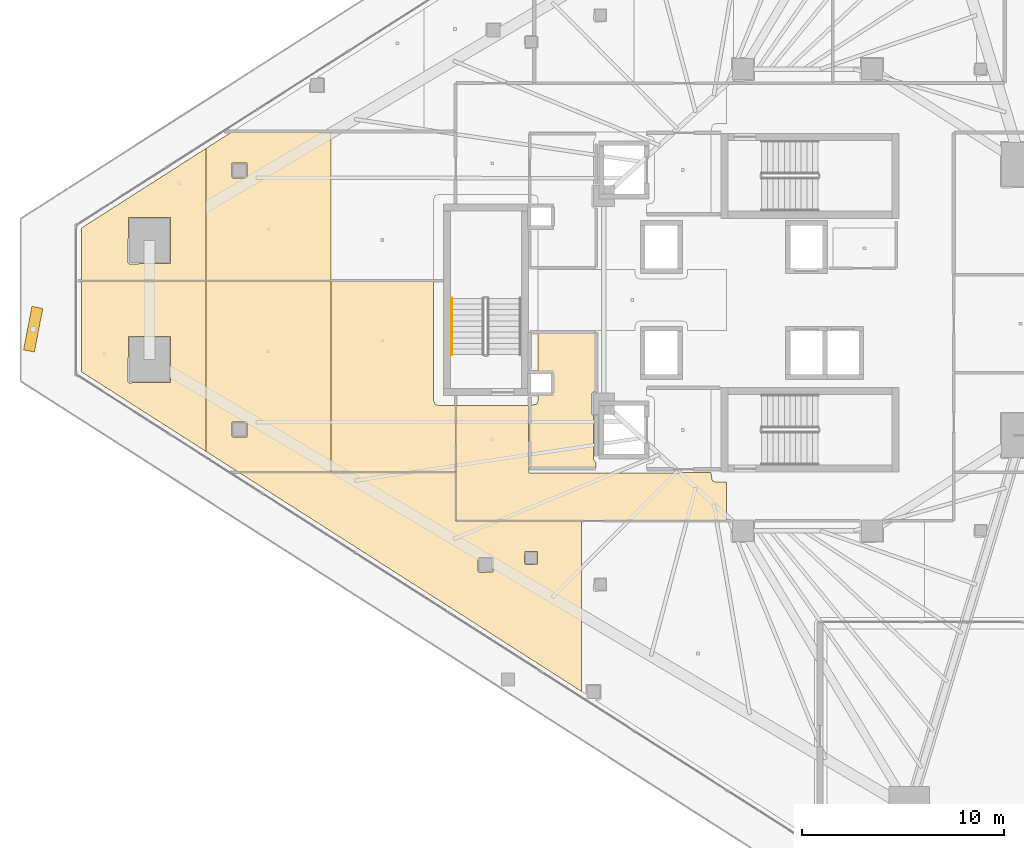
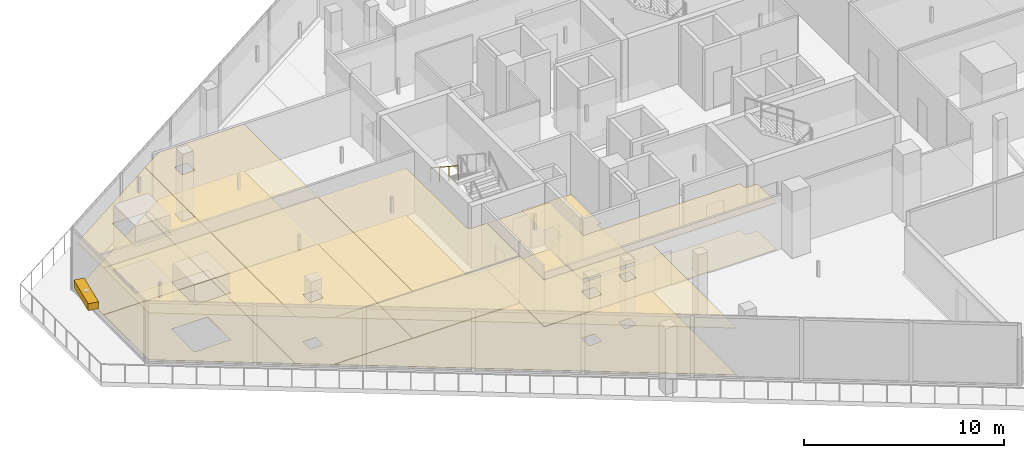
# One storey, part 32 of 39: 15 coverings, 1 railing, 1 shading device.
"""IFC4 building model written with IfcOpenShell, lengths in metres."""

from ifc_helpers import new_model, si_unit, direction, frame, origin, origin_2d, place, context, subcontext, project, spatial, polyline, rectangle, circle, outline, extrude, material, layer, layer_set, type_object, element, save


model = new_model("IFC4")

# Units and contexts
model_context = context("Model", 3, precision=1e-05, world=origin(), true_north=direction((0.0, 1.0)))
body_context = subcontext(model_context, "Body", "Model", "MODEL_VIEW")
ifc_project = project(units=[si_unit("LENGTHUNIT", "METRE"), si_unit("AREAUNIT", "SQUARE_METRE"), si_unit("VOLUMEUNIT", "CUBIC_METRE"), si_unit("PLANEANGLEUNIT", "RADIAN"), si_unit("MASSUNIT", "GRAM", prefix="KILO")], contexts=[model_context])

# Site, building, storey
site_placement = place(None, origin())
site = spatial("IfcSite", under=ifc_project, at=site_placement, CompositionType="ELEMENT")
building_placement = place(site_placement, origin())
building = spatial("IfcBuilding", under=site, at=building_placement, Name="Qorvath Tower", CompositionType="ELEMENT")
storey_placement = place(building_placement, frame((0.0, 0.0, 154.35009765625)))
storey = spatial("IfcBuildingStorey", under=building, at=storey_placement, Name="L35", CompositionType="ELEMENT", Elevation=154.35009765625)

# Coverings
ifc_material_1 = material(Name="Acoustic mineral fibre ceiling tile", Category="gypsum")
ifc_layer_1 = layer(ifc_material_1, 0.030029296875)
ifc_layer_set_1 = layer_set([ifc_layer_1], Name="COV-CEIL")
covering_type_1 = type_object("IfcCoveringType", Name="COV-CEIL", PredefinedType="CEILING", material=ifc_layer_set_1)
covering_1_placement = place(storey_placement, frame((0.0, 0.0, 2.849853515625)))
element("IfcCovering", 1, at=covering_1_placement, inside=storey, type_object=covering_type_1, Name="L35 Suspended Acoustic Ceiling 006", PredefinedType="CEILING", context=body_context, shape_type="SweptSolid", body=[
    extrude(outline(polyline([(-34.22509765625, -8.580078125), (-34.251220703125, -5.239990234375), (-37.844970703125, -5.239990234375), (-37.844970703125, -10.945068359375), (-24.421142578125, -10.945068359375), (-24.421142578125, -9.0400390625), (-24.93994140625, -9.0400390625), (-25.11669921875, -8.966796875), (-25.18994140625, -8.57421875), (-34.22509765625, -8.580078125)])), origin(), (0.0, 0.0, 1.0), 0.030029296875),
])
covering_2_placement = place(storey_placement, frame((0.0, 0.0, 2.849853515625)))
element("IfcCovering", 2, at=covering_2_placement, inside=storey, type_object=covering_type_1, Name="L35 Suspended Acoustic Ceiling 017", PredefinedType="CEILING", context=body_context, shape_type="SweptSolid", body=[
    extrude(outline(polyline([(-31.611328125, -19.425048828125), (-31.611328125, -10.962890625), (-37.85791015625, -10.962890625), (-37.863037109375, -8.554931640625), (-48.619140625, -8.554931640625), (-31.611328125, -19.425048828125)]), holes=[polyline([(-34.439208984375, -13.0673828125), (-34.421630859375, -12.47509765625), (-33.786865234375, -12.47509765625), (-33.786865234375, -13.10986328125), (-34.379150390625, -13.12744140625), (-34.439208984375, -13.0673828125)]), polyline([(-36.749755859375, -13.46044921875), (-36.732177734375, -12.76806640625), (-35.997314453125, -12.76806640625), (-35.997314453125, -13.5029296875), (-36.689697265625, -13.5205078125), (-36.749755859375, -13.46044921875)])]), origin(), (0.0, 0.0, 1.0), 0.030029296875),
])
covering_3_placement = place(storey_placement, frame((0.0, 0.0, 2.849853515625)))
element("IfcCovering", 3, at=covering_3_placement, inside=storey, type_object=covering_type_1, Name="L35 Suspended Acoustic Ceiling 027", PredefinedType="CEILING", context=body_context, shape_type="SweptSolid", body=[
    extrude(outline(polyline([(-50.240234375, -7.518798828125), (-50.240234375, 0.9482421875), (-56.4287109375, 0.9482421875), (-56.4287109375, -3.5634765625), (-50.240234375, -7.518798828125)]), holes=[polyline([(-54.109375, -4.05078125), (-54.091796875, -1.808349609375), (-52.007080078125, -1.808349609375), (-52.007080078125, -4.09326171875), (-54.04931640625, -4.11083984375), (-54.109375, -4.05078125)])]), origin(), (0.0, 0.0, 1.0), 0.030029296875),
])
covering_4_placement = place(storey_placement, frame((0.0, 0.0, 2.849853515625)))
element("IfcCovering", 4, at=covering_4_placement, inside=storey, type_object=covering_type_1, Name="L35 Suspended Acoustic Ceiling 028", PredefinedType="CEILING", context=body_context, shape_type="SweptSolid", body=[
    extrude(outline(polyline([(-44.051513671875, -8.537109375), (-44.051513671875, 0.9482421875), (-50.240234375, 0.9482421875), (-50.240234375, -7.518798828125), (-48.647216796875, -8.537109375), (-44.051513671875, -8.537109375)]), holes=[polyline([(-48.96337890625, -6.74951171875), (-48.94580078125, -6.05712890625), (-48.2109375, -6.05712890625), (-48.2109375, -6.7919921875), (-48.9033203125, -6.8095703125), (-48.96337890625, -6.74951171875)])]), origin(), (0.0, 0.0, 1.0), 0.030029296875),
])
covering_5_placement = place(storey_placement, frame((0.0, 0.0, 2.849853515625)))
element("IfcCovering", 5, at=covering_5_placement, inside=storey, type_object=covering_type_1, Name="L35 Suspended Acoustic Ceiling 029", PredefinedType="CEILING", context=body_context, shape_type="SweptSolid", body=[
    extrude(outline(polyline([(-38.949951171875, 0.9482421875), (-44.051513671875, 0.9482421875), (-44.051513671875, -8.537109375), (-37.863037109375, -8.537109375), (-37.863037109375, -5.239990234375), (-38.699951171875, -5.239990234375), (-38.876708984375, -5.166748046875), (-38.949951171875, -4.989990234375), (-38.949951171875, 0.9482421875)])), origin(), (0.0, 0.0, 1.0), 0.030029296875),
])
covering_6_placement = place(storey_placement, frame((0.0, 0.0, 2.849853515625)))
element("IfcCovering", 6, at=covering_6_placement, inside=storey, type_object=covering_type_1, Name="L35 Suspended Acoustic Ceiling 030", PredefinedType="CEILING", context=body_context, shape_type="SweptSolid", body=[
    extrude(outline(polyline([(-50.240234375, 0.96630859375), (-50.240234375, 7.518798828125), (-56.4287109375, 3.5634765625), (-56.4287109375, 0.96630859375), (-50.240234375, 0.96630859375)]), holes=[polyline([(-54.109375, 1.850830078125), (-54.091796875, 4.09326171875), (-52.007080078125, 4.09326171875), (-52.007080078125, 1.808349609375), (-54.04931640625, 1.790771484375), (-54.109375, 1.850830078125)])]), origin(), (0.0, 0.0, 1.0), 0.030029296875),
])
covering_7_placement = place(storey_placement, frame((0.0, 0.0, 2.849853515625)))
element("IfcCovering", 7, at=covering_7_placement, inside=storey, type_object=covering_type_1, Name="L35 Suspended Acoustic Ceiling 031", PredefinedType="CEILING", context=body_context, shape_type="SweptSolid", body=[
    extrude(outline(polyline([(-44.051513671875, 0.96630859375), (-44.051513671875, 8.3369140625), (-48.960205078125, 8.3369140625), (-50.240234375, 7.518798828125), (-50.240234375, 0.96630859375), (-44.051513671875, 0.96630859375)]), holes=[polyline([(-48.96337890625, 6.099609375), (-48.94580078125, 6.7919921875), (-48.2109375, 6.7919921875), (-48.2109375, 6.05712890625), (-48.9033203125, 6.03955078125), (-48.96337890625, 6.099609375)])]), origin(), (0.0, 0.0, 1.0), 0.030029296875),
])
ifc_material_2 = material(Name="Low-VOC modular carpet tile", Category="textile")
ifc_layer_2 = layer(ifc_material_2, 0.014892578125)
ifc_layer_set_2 = layer_set([ifc_layer_2], Name="COV-FLOOR-CPT")
covering_type_2 = type_object("IfcCoveringType", Name="COV-FLOOR-CPT", PredefinedType="FLOORING", material=ifc_layer_set_2)
covering_8_placement = place(storey_placement, origin())
element("IfcCovering", 8, at=covering_8_placement, inside=storey, type_object=covering_type_2, Name="L35 Floor Finish 005", PredefinedType="FLOORING", context=body_context, shape_type="SweptSolid", body=[
    extrude(outline(polyline([(-30.885009765625, -1.60498046875), (-33.760009765625, -1.60498046875), (-33.760009765625, -3.636962890625), (-33.08837890625, -3.638427734375), (-33.0869140625, -4.6279296875), (-33.760009765625, -4.633056640625), (-33.760009765625, -4.989990234375), (-33.833251953125, -5.166748046875), (-34.175048828125, -5.239990234375), (-34.175048828125, -8.344970703125), (-30.885009765625, -8.344970703125), (-30.885009765625, -8.108154296875), (-31.010009765625, -7.909912109375), (-31.010009765625, -5.735107421875), (-31.0849609375, -5.675048828125), (-31.0849609375, -4.625), (-31.02490234375, -4.56494140625), (-30.885009765625, -4.56494140625), (-30.885009765625, -1.60498046875)])), origin(), (0.0, 0.0, 1.0), 0.014892578125),
])
covering_9_placement = place(storey_placement, origin())
element("IfcCovering", 9, at=covering_9_placement, inside=storey, type_object=covering_type_2, Name="L35 Floor Finish 017", PredefinedType="FLOORING", context=body_context, shape_type="SweptSolid", body=[
    extrude(outline(polyline([(-31.611328125, -19.425048828125), (-31.611328125, -10.962890625), (-37.85791015625, -10.962890625), (-37.863037109375, -8.554931640625), (-48.619140625, -8.554931640625), (-31.611328125, -19.425048828125)]), holes=[polyline([(-34.439208984375, -13.0673828125), (-34.421630859375, -12.47509765625), (-33.786865234375, -12.47509765625), (-33.786865234375, -13.10986328125), (-34.379150390625, -13.12744140625), (-34.439208984375, -13.0673828125)]), polyline([(-36.749755859375, -13.46044921875), (-36.732177734375, -12.76806640625), (-35.997314453125, -12.76806640625), (-35.997314453125, -13.5029296875), (-36.689697265625, -13.5205078125), (-36.749755859375, -13.46044921875)])]), origin(), (0.0, 0.0, 1.0), 0.014892578125),
])
covering_10_placement = place(storey_placement, origin())
element("IfcCovering", 10, at=covering_10_placement, inside=storey, type_object=covering_type_2, Name="L35 Floor Finish 027", PredefinedType="FLOORING", context=body_context, shape_type="SweptSolid", body=[
    extrude(outline(polyline([(-50.240234375, -7.518798828125), (-50.240234375, 0.9482421875), (-56.4287109375, 0.9482421875), (-56.4287109375, -3.5634765625), (-50.240234375, -7.518798828125)]), holes=[polyline([(-54.109375, -4.05078125), (-54.091796875, -1.808349609375), (-52.007080078125, -1.808349609375), (-52.007080078125, -4.09326171875), (-54.04931640625, -4.11083984375), (-54.109375, -4.05078125)])]), origin(), (0.0, 0.0, 1.0), 0.014892578125),
])
covering_11_placement = place(storey_placement, origin())
element("IfcCovering", 11, at=covering_11_placement, inside=storey, type_object=covering_type_2, Name="L35 Floor Finish 028", PredefinedType="FLOORING", context=body_context, shape_type="SweptSolid", body=[
    extrude(outline(polyline([(-44.051513671875, -8.537109375), (-44.051513671875, 0.9482421875), (-50.240234375, 0.9482421875), (-50.240234375, -7.518798828125), (-48.647216796875, -8.537109375), (-44.051513671875, -8.537109375)]), holes=[polyline([(-48.96337890625, -6.74951171875), (-48.94580078125, -6.05712890625), (-48.2109375, -6.05712890625), (-48.2109375, -6.7919921875), (-48.9033203125, -6.8095703125), (-48.96337890625, -6.74951171875)])]), origin(), (0.0, 0.0, 1.0), 0.014892578125),
])
covering_12_placement = place(storey_placement, origin())
element("IfcCovering", 12, at=covering_12_placement, inside=storey, type_object=covering_type_2, Name="L35 Floor Finish 029", PredefinedType="FLOORING", context=body_context, shape_type="SweptSolid", body=[
    extrude(outline(polyline([(-38.949951171875, 0.9482421875), (-44.051513671875, 0.9482421875), (-44.051513671875, -8.537109375), (-37.863037109375, -8.537109375), (-37.863037109375, -5.239990234375), (-38.699951171875, -5.239990234375), (-38.876708984375, -5.166748046875), (-38.949951171875, -4.989990234375), (-38.949951171875, 0.9482421875)])), origin(), (0.0, 0.0, 1.0), 0.014892578125),
])
covering_13_placement = place(storey_placement, origin())
element("IfcCovering", 13, at=covering_13_placement, inside=storey, type_object=covering_type_2, Name="L35 Floor Finish 030", PredefinedType="FLOORING", context=body_context, shape_type="SweptSolid", body=[
    extrude(outline(polyline([(-50.240234375, 0.96630859375), (-50.240234375, 7.518798828125), (-56.4287109375, 3.5634765625), (-56.4287109375, 0.96630859375), (-50.240234375, 0.96630859375)]), holes=[polyline([(-54.109375, 1.850830078125), (-54.091796875, 4.09326171875), (-52.007080078125, 4.09326171875), (-52.007080078125, 1.808349609375), (-54.04931640625, 1.790771484375), (-54.109375, 1.850830078125)])]), origin(), (0.0, 0.0, 1.0), 0.014892578125),
])
covering_14_placement = place(storey_placement, origin())
element("IfcCovering", 14, at=covering_14_placement, inside=storey, type_object=covering_type_2, Name="L35 Floor Finish 031", PredefinedType="FLOORING", context=body_context, shape_type="SweptSolid", body=[
    extrude(outline(polyline([(-44.051513671875, 0.96630859375), (-44.051513671875, 8.3369140625), (-48.960205078125, 8.3369140625), (-50.240234375, 7.518798828125), (-50.240234375, 0.96630859375), (-44.051513671875, 0.96630859375)]), holes=[polyline([(-48.96337890625, 6.099609375), (-48.94580078125, 6.7919921875), (-48.2109375, 6.7919921875), (-48.2109375, 6.05712890625), (-48.9033203125, 6.03955078125), (-48.96337890625, 6.099609375)])]), origin(), (0.0, 0.0, 1.0), 0.014892578125),
])
ifc_material_3 = material(Name="Polished epoxy terrazzo flooring", Category="concrete")
ifc_layer_3 = layer(ifc_material_3, 0.02001953125)
ifc_layer_set_3 = layer_set([ifc_layer_3], Name="COV-FLOOR-TRZ")
covering_type_3 = type_object("IfcCoveringType", Name="COV-FLOOR-TRZ", PredefinedType="FLOORING", material=ifc_layer_set_3)
covering_15_placement = place(storey_placement, origin())
element("IfcCovering", 15, at=covering_15_placement, inside=storey, type_object=covering_type_3, Name="L35 Floor Finish 006", PredefinedType="FLOORING", context=body_context, shape_type="SweptSolid", body=[
    extrude(outline(polyline([(-34.22509765625, -8.580078125), (-34.251220703125, -5.239990234375), (-37.844970703125, -5.239990234375), (-37.844970703125, -10.945068359375), (-24.421142578125, -10.945068359375), (-24.421142578125, -9.0400390625), (-24.93994140625, -9.0400390625), (-25.11669921875, -8.966796875), (-25.18994140625, -8.57421875), (-34.22509765625, -8.580078125)])), origin(), (0.0, 0.0, 1.0), 0.014892578125),
])

# Railing
ifc_material_4 = material(Name="Brushed stainless steel AISI 304", Category="steel")
railing_type = type_object("IfcRailingType", Name="RL-STR-HND", PredefinedType="HANDRAIL", material=ifc_material_4)
railing_placement = place(storey_placement, frame((-38.06005859375, 0.080078125, 2.208984375)))
element("IfcRailing", 16, at=railing_placement, inside=storey, type_object=railing_type, Name="L35 TS3 stair handrail 2", PredefinedType="HANDRAIL", context=body_context, shape_type="SweptSolid", body=[
    extrude(circle(Radius=0.02392578125, at=origin_2d()), frame((0.0, 0.0, 0.8759765625), z_axis=(0.0, -0.835597507184, 0.549342157483), x_axis=(1.0, 0.0, 0.0)), (0.0, 0.0, 1.0), 3.35107421875),
    extrude(circle(Radius=0.02099609375, at=origin_2d()), origin(), (0.0, 0.0, 1.0), 0.851806640625),
    extrude(circle(Radius=0.02099609375, at=origin_2d()), frame((0.0, -0.933349609375, 0.613525390625)), (0.0, 0.0, 1.0), 0.851806640625),
    extrude(circle(Radius=0.02099609375, at=origin_2d()), frame((0.0, -1.86669921875, 1.227294921875)), (0.0, 0.0, 1.0), 0.851806640625),
    extrude(circle(Radius=0.02099609375, at=origin_2d()), frame((0.0, -2.800048828125, 1.8408203125)), (0.0, 0.0, 1.0), 0.851806640625),
])

# Shading device
ifc_material_5 = material(Name="Anodised bronze-champagne aluminium", Category="aluminium")
shading_device_type = type_object("IfcShadingDeviceType", Name="SD-LOUVRE", PredefinedType="JALOUSIE", material=ifc_material_5)
shading_device_placement = place(storey_placement, frame((-58.81787109375, -1.453125, 3.35986328125), z_axis=(0.0, 0.0, 1.0), x_axis=(-0.188646396824, -0.982045078887, 0.0)))
element("IfcShadingDevice", 17, at=shading_device_placement, inside=storey, type_object=shading_device_type, Name="Sinusoidal Wave Louvre Blade L35-01", PredefinedType="NOTDEFINED", context=body_context, shape_type="SweptSolid", body=[
    extrude(rectangle(XDim=2.199951171875, YDim=0.550048828125, at=origin_2d()), origin(), (0.0, 0.0, 1.0), 0.419921875),
])

save(model, "model.ifc")
